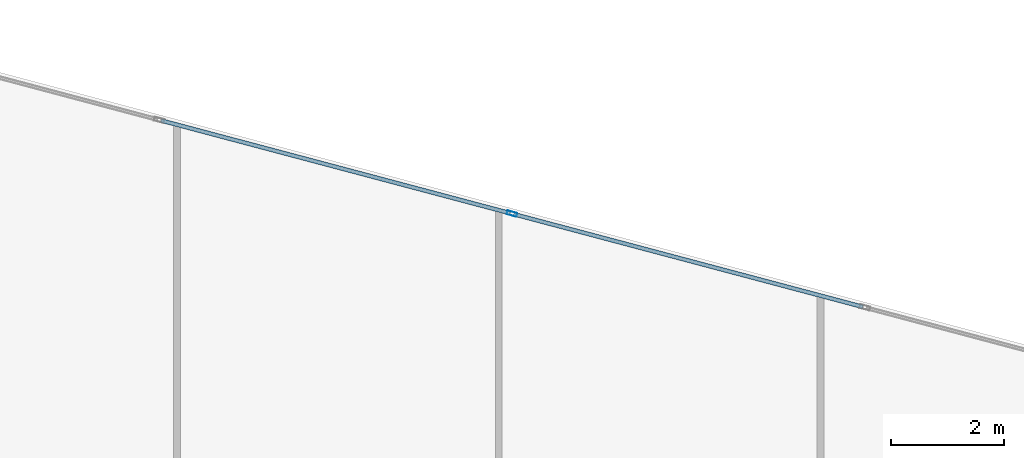
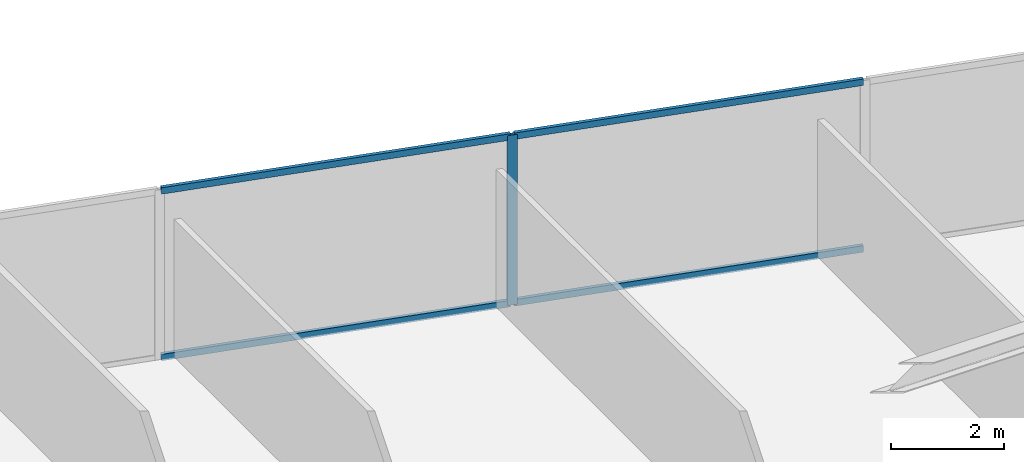
# One storey, part 18 of 27: 5 members, 1 element without a shape of its own.
"""IFC4 building model written with IfcOpenShell, lengths in metres."""

from ifc_helpers import new_model, si_unit, direction, frame, origin, origin_2d, place, context, subcontext, project, spatial, hollow_rectangle, extrude, source, transform, mapped, material, material_profile, profile_set, type_object, type_shapes, element, aggregate, save


model = new_model("IFC4")

# Units and contexts
model_context = context("Model", 3, precision=1e-05, world=origin(), true_north=direction((0.0, 1.0)))
body_context = subcontext(model_context, "Body", "Model", "MODEL_VIEW")
ifc_project = project(units=[si_unit("LENGTHUNIT", "METRE"), si_unit("AREAUNIT", "SQUARE_METRE"), si_unit("VOLUMEUNIT", "CUBIC_METRE"), si_unit("PLANEANGLEUNIT", "RADIAN"), si_unit("MASSUNIT", "GRAM", prefix="KILO")], contexts=[model_context])

# Site, building, storey
site_placement = place(None, origin())
site = spatial("IfcSite", under=ifc_project, at=site_placement, CompositionType="ELEMENT")
building_placement = place(site_placement, origin())
building = spatial("IfcBuilding", under=site, at=building_placement, Name="Krantzveldt Concourse Tower", CompositionType="ELEMENT")
storey_placement = place(building_placement, frame((0.0, 0.0, 101.89990234375)))
storey = spatial("IfcBuildingStorey", under=building, at=storey_placement, Name="L24", CompositionType="ELEMENT", Elevation=101.89990234375)

# Curtain wall, members
ifc_material = material(Name="Anodised aluminium 6063-T6", Category="aluminium")
curtain_wall_type = type_object("IfcCurtainWallType", Name="CW2", PredefinedType="USERDEFINED", material=ifc_material)
curtain_wall_placement = place(storey_placement, origin())
curtain_wall = element("IfcCurtainWall", 1, at=curtain_wall_placement, inside=storey, type_object=curtain_wall_type, Name="CW-L24-F14", ObjectType="UNITISED CURTAIN WALL", PredefinedType="USERDEFINED")
ifc_material_profile_1 = material_profile(ifc_material, hollow_rectangle(XDim=0.070068359375, YDim=0.179931640625, WallThickness=0.0048828125, at=origin_2d()), Name="Anodised aluminium 6063-T6", Category="aluminium")
ifc_profile_set_1 = profile_set([ifc_material_profile_1], Name="Anodised aluminium 6063-T6 - ALU-MULL 180x70x5")
member_type_1 = type_object("IfcMemberType", Name="CW-MUL-180", PredefinedType="MULLION", material=ifc_profile_set_1)
shared_shape_1 = source(origin(), body_context, "Body", "SweptSolid", [
    extrude(hollow_rectangle(XDim=0.070068359375, YDim=0.179931640625, WallThickness=0.0048828125, at=origin_2d()), origin(), (0.0, 0.0, 1.0), 3.670166015625),
])
type_shapes(member_type_1, [shared_shape_1])
member_1_placement = place(storey_placement, frame((35.73388671875, 50.888916015625, 0.0), z_axis=(0.0, 0.0, 1.0), x_axis=(-0.256711093648, -0.966488186373, 0.0)))
member_1 = element("IfcMember", 2, at=member_1_placement, type_object=member_type_1, Name="CW-Z12 mullion 5", PredefinedType="MULLION", context=body_context, shape_type="MappedRepresentation", body=[
    mapped(shared_shape_1, transform((0.0, 0.0, 0.0), x_axis=(1.0, 0.0, 0.0), y_axis=(0.0, 1.0, 0.0), z_axis=(0.0, 0.0, 1.0), scale=1.0)),
])
ifc_material_profile_2 = material_profile(ifc_material, hollow_rectangle(XDim=0.070068359375, YDim=0.139892578125, WallThickness=0.0048828125, at=origin_2d()), Name="Anodised aluminium 6063-T6", Category="aluminium")
ifc_profile_set_2 = profile_set([ifc_material_profile_2], Name="Anodised aluminium 6063-T6 - ALU-TRAN 140x70x5")
member_type_2 = type_object("IfcMemberType", Name="CW-TRN-150", PredefinedType="USERDEFINED", material=ifc_profile_set_2)
shared_shape_2 = source(origin(), body_context, "Body", "SweptSolid", [
    extrude(hollow_rectangle(XDim=0.070068359375, YDim=0.139892578125, WallThickness=0.0048828125, at=origin_2d()), origin(), (0.0, 0.0, 1.0), 6.396728515625),
])
type_shapes(member_type_2, [shared_shape_2])
member_2_placement = place(storey_placement, frame((41.9501953125, 49.23779296875, 0.03515625), z_axis=(-0.966489121884, 0.256707571528, 0.0), x_axis=(-0.256707571528, -0.966489121884, 0.0)))
member_2 = element("IfcMember", 3, at=member_2_placement, type_object=member_type_2, Name="CW-Z12 transom 4.1", ObjectType="TRANSOM", PredefinedType="USERDEFINED", context=body_context, shape_type="MappedRepresentation", body=[
    mapped(shared_shape_2, transform((0.0, 0.0, 0.0), x_axis=(1.0, 0.0, 0.0), y_axis=(0.0, 1.0, 0.0), z_axis=(0.0, 0.0, 1.0), scale=1.0)),
])
member_3_placement = place(storey_placement, frame((41.9501953125, 49.23779296875, 3.635009765625), z_axis=(-0.966489121884, 0.256707571528, 0.0), x_axis=(-0.256707571528, -0.966489121884, 0.0)))
member_3 = element("IfcMember", 4, at=member_3_placement, type_object=member_type_2, Name="CW-Z12 transom 4.2", ObjectType="TRANSOM", PredefinedType="USERDEFINED", context=body_context, shape_type="MappedRepresentation", body=[
    mapped(shared_shape_2, transform((0.0, 0.0, 0.0), x_axis=(1.0, 0.0, 0.0), y_axis=(0.0, 1.0, 0.0), z_axis=(0.0, 0.0, 1.0), scale=1.0)),
])
member_4_placement = place(storey_placement, frame((35.7001953125, 50.89794921875, 0.03515625), z_axis=(-0.966489121884, 0.256707571528, 0.0), x_axis=(-0.256707571528, -0.966489121884, 0.0)))
member_4 = element("IfcMember", 5, at=member_4_placement, type_object=member_type_2, Name="CW-Z12 transom 5.1", ObjectType="TRANSOM", PredefinedType="USERDEFINED", context=body_context, shape_type="MappedRepresentation", body=[
    mapped(shared_shape_2, transform((0.0, 0.0, 0.0), x_axis=(1.0, 0.0, 0.0), y_axis=(0.0, 1.0, 0.0), z_axis=(0.0, 0.0, 1.0), scale=1.0)),
])
member_5_placement = place(storey_placement, frame((35.7001953125, 50.89794921875, 3.635009765625), z_axis=(-0.966489121884, 0.256707571528, 0.0), x_axis=(-0.256707571528, -0.966489121884, 0.0)))
member_5 = element("IfcMember", 6, at=member_5_placement, type_object=member_type_2, Name="CW-Z12 transom 5.2", ObjectType="TRANSOM", PredefinedType="USERDEFINED", context=body_context, shape_type="MappedRepresentation", body=[
    mapped(shared_shape_2, transform((0.0, 0.0, 0.0), x_axis=(1.0, 0.0, 0.0), y_axis=(0.0, 1.0, 0.0), z_axis=(0.0, 0.0, 1.0), scale=1.0)),
])
aggregate(curtain_wall, [member_1, member_2, member_3, member_4, member_5])

save(model, "model.ifc")
